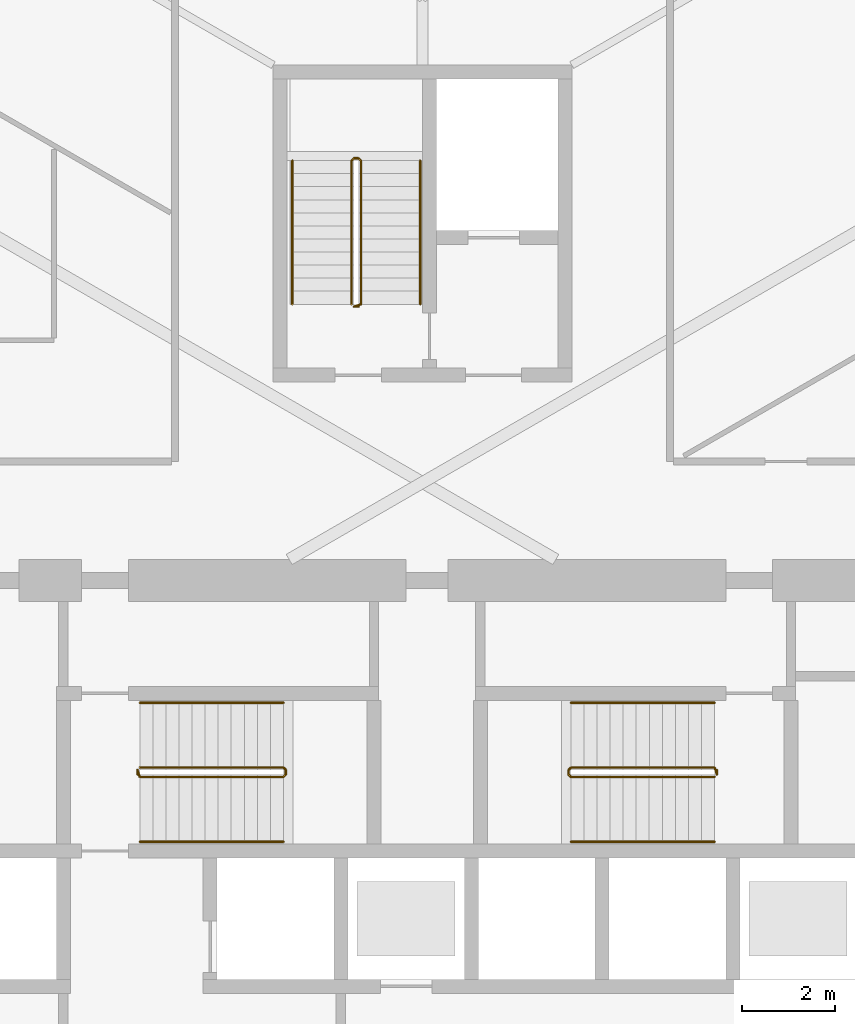
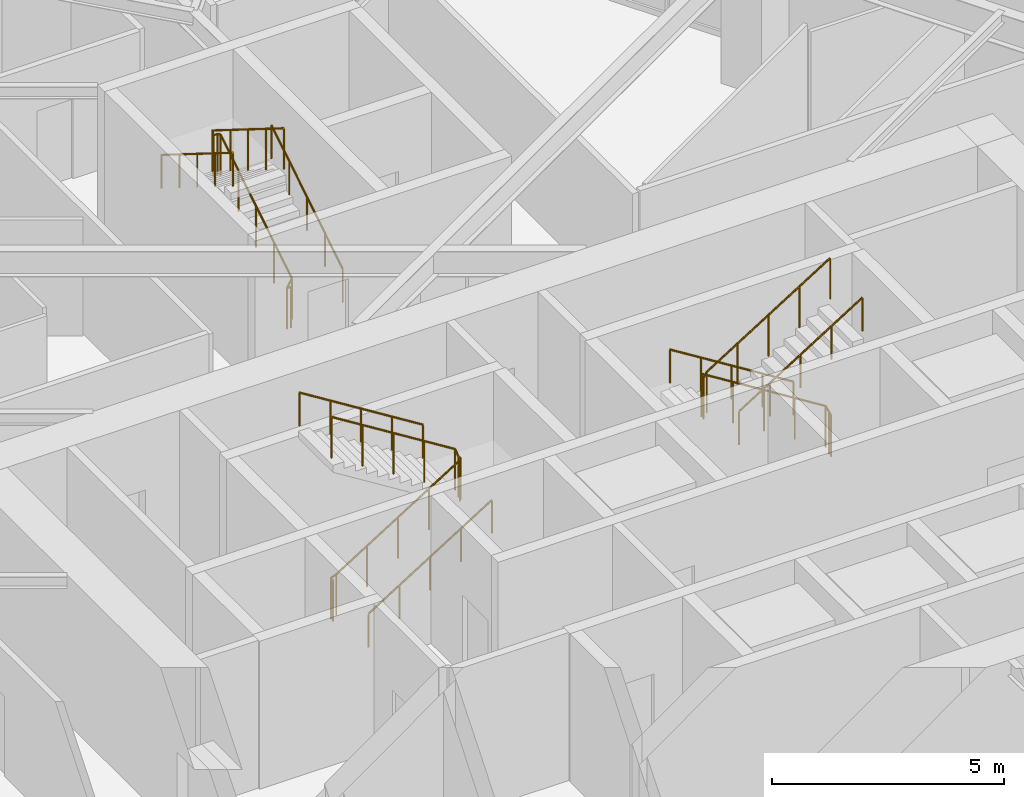
# One storey, part 18 of 19: 9 railings.
"""IFC4 building model written with IfcOpenShell, lengths in metres."""

from ifc_helpers import new_model, si_unit, direction, frame, origin, origin_2d, place, context, subcontext, project, spatial, circle, extrude, material, type_object, element, save


model = new_model("IFC4")

# Units and contexts
model_context = context("Model", 3, precision=1e-05, world=origin(), true_north=direction((0.0, 1.0)))
body_context = subcontext(model_context, "Body", "Model", "MODEL_VIEW")
ifc_project = project(units=[si_unit("LENGTHUNIT", "METRE"), si_unit("AREAUNIT", "SQUARE_METRE"), si_unit("VOLUMEUNIT", "CUBIC_METRE"), si_unit("PLANEANGLEUNIT", "RADIAN"), si_unit("MASSUNIT", "GRAM", prefix="KILO")], contexts=[model_context])

# Site, building, storey
site_placement = place(None, origin())
site = spatial("IfcSite", under=ifc_project, at=site_placement, CompositionType="ELEMENT")
building_placement = place(site_placement, origin())
building = spatial("IfcBuilding", under=site, at=building_placement, Name="Firuza Gate Tower and Library", CompositionType="ELEMENT")
storey_placement = place(building_placement, frame((0.0, 0.0, 136.60009765625)))
storey = spatial("IfcBuildingStorey", under=building, at=storey_placement, Name="L31", CompositionType="ELEMENT", Elevation=136.60009765625)

# Railings
ifc_material_1 = material(Name="Steel S355", Category="steel")
railing_type_1 = type_object("IfcRailingType", Name="Stair guard 1100", PredefinedType="GUARDRAIL", material=ifc_material_1)
railing_1_placement = place(storey_placement, frame((68.889892578125, 79.389892578125, 0.0)))
element("IfcRailing", 1, at=railing_1_placement, inside=storey, type_object=railing_type_1, Name="L31 ST1 stair guard 1", PredefinedType="GUARDRAIL", context=body_context, shape_type="SweptSolid", body=[
    extrude(circle(Radius=0.02392578125, at=origin_2d()), frame((0.0, 0.0, 1.076171875), z_axis=(0.0, 1.0, 0.0), x_axis=(-1.0, 0.0, 0.0)), (0.0, 0.0, 1.0), 0.10009765625),
    extrude(circle(Radius=0.02392578125, at=origin_2d()), frame((0.0, 0.10009765625, 1.076171875), z_axis=(0.212383695785, -0.636115069328, 0.741788908207), x_axis=(0.948528701346, 0.316691178788, 0.0)), (0.0, 0.0, 1.0), 0.235595703125),
    extrude(circle(Radius=0.02392578125, at=origin_2d()), frame((0.050048828125, -0.0498046875, 1.2509765625), z_axis=(0.847998304005, 0.0, 0.529998940003), x_axis=(0.0, 1.0, 0.0)), (0.0, 0.0, 1.0), 3.632080078125),
    extrude(circle(Radius=0.02392578125, at=origin_2d()), frame((3.130126953125, -0.0498046875, 3.17578125), z_axis=(0.708833529934, 0.705375805398, 0.0), x_axis=(-0.705375805398, 0.708833529934, 0.0)), (0.0, 0.0, 1.0), 0.070556640625),
    extrude(circle(Radius=0.02392578125, at=origin_2d()), frame((3.18017578125, 0.0, 3.17578125), z_axis=(0.0, 1.0, 0.0), x_axis=(-1.0, 0.0, 0.0)), (0.0, 0.0, 1.0), 0.10009765625),
    extrude(circle(Radius=0.02392578125, at=origin_2d()), frame((3.18017578125, 0.10009765625, 3.17578125), z_axis=(-0.265065253269, 0.265065253269, 0.927081885822), x_axis=(-0.707106781187, -0.707106781187, 0.0)), (0.0, 0.0, 1.0), 0.188720703125),
    extrude(circle(Radius=0.02392578125, at=origin_2d()), frame((3.130126953125, 0.150146484375, 3.35107421875), z_axis=(-0.847998304005, 0.0, 0.529998940003), x_axis=(0.0, -1.0, 0.0)), (0.0, 0.0, 1.0), 3.632080078125),
    extrude(circle(Radius=0.02099609375, at=origin_2d()), origin(), (0.0, 0.0, 1.0), 1.052001953125),
    extrude(circle(Radius=0.02099609375, at=origin_2d()), frame((0.0, 0.10009765625, 0.0)), (0.0, 0.0, 1.0), 1.052001953125),
    extrude(circle(Radius=0.02099609375, at=origin_2d()), frame((0.050048828125, -0.0498046875, 0.1748046875)), (0.0, 0.0, 1.0), 1.052001953125),
    extrude(circle(Radius=0.02099609375, at=origin_2d()), frame((0.820068359375, -0.0498046875, 0.656005859375)), (0.0, 0.0, 1.0), 1.052001953125),
    extrude(circle(Radius=0.02099609375, at=origin_2d()), frame((1.590087890625, -0.0498046875, 1.13720703125)), (0.0, 0.0, 1.0), 1.052001953125),
    extrude(circle(Radius=0.02099609375, at=origin_2d()), frame((2.360107421875, -0.0498046875, 1.61865234375)), (0.0, 0.0, 1.0), 1.052001953125),
    extrude(circle(Radius=0.02099609375, at=origin_2d()), frame((3.130126953125, -0.0498046875, 2.099853515625)), (0.0, 0.0, 1.0), 1.052001953125),
    extrude(circle(Radius=0.02099609375, at=origin_2d()), frame((3.18017578125, 0.0, 2.099853515625)), (0.0, 0.0, 1.0), 1.052001953125),
    extrude(circle(Radius=0.02099609375, at=origin_2d()), frame((3.18017578125, 0.10009765625, 2.099853515625)), (0.0, 0.0, 1.0), 1.052001953125),
    extrude(circle(Radius=0.02099609375, at=origin_2d()), frame((3.130126953125, 0.150146484375, 2.27490234375)), (0.0, 0.0, 1.0), 1.052001953125),
    extrude(circle(Radius=0.02099609375, at=origin_2d()), frame((2.360107421875, 0.150146484375, 2.756103515625)), (0.0, 0.0, 1.0), 1.052001953125),
    extrude(circle(Radius=0.02099609375, at=origin_2d()), frame((1.590087890625, 0.150146484375, 3.2373046875)), (0.0, 0.0, 1.0), 1.052001953125),
    extrude(circle(Radius=0.02099609375, at=origin_2d()), frame((0.820068359375, 0.150146484375, 3.71875)), (0.0, 0.0, 1.0), 1.052001953125),
    extrude(circle(Radius=0.02099609375, at=origin_2d()), frame((0.050048828125, 0.150146484375, 4.199951171875)), (0.0, 0.0, 1.0), 1.052001953125),
])
railing_2_placement = place(storey_placement, frame((81.31005859375, 79.489990234375, 0.0)))
element("IfcRailing", 2, at=railing_2_placement, inside=storey, type_object=railing_type_1, Name="L31 ST2 stair guard 1", PredefinedType="GUARDRAIL", context=body_context, shape_type="SweptSolid", body=[
    extrude(circle(Radius=0.02392578125, at=origin_2d()), frame((0.0, 0.0, 1.076171875), z_axis=(0.0, -1.0, 0.0), x_axis=(1.0, 0.0, 0.0)), (0.0, 0.0, 1.0), 0.10009765625),
    extrude(circle(Radius=0.02392578125, at=origin_2d()), frame((0.0, -0.10009765625, 1.076171875), z_axis=(-0.21224375372, 0.63673126116, 0.741300134944), x_axis=(-0.948683298051, -0.316227766017, 0.0)), (0.0, 0.0, 1.0), 0.23583984375),
    extrude(circle(Radius=0.02392578125, at=origin_2d()), frame((-0.050048828125, 0.050048828125, 1.2509765625), z_axis=(-0.847998304005, 0.0, 0.529998940003), x_axis=(0.0, -1.0, 0.0)), (0.0, 0.0, 1.0), 3.632080078125),
    extrude(circle(Radius=0.02392578125, at=origin_2d()), frame((-3.130126953125, 0.050048828125, 3.17578125), z_axis=(-0.707106781187, -0.707106781187, 0.0), x_axis=(0.707106781187, -0.707106781187, 0.0)), (0.0, 0.0, 1.0), 0.07080078125),
    extrude(circle(Radius=0.02392578125, at=origin_2d()), frame((-3.18017578125, 0.0, 3.17578125), z_axis=(0.0, -1.0, 0.0), x_axis=(1.0, 0.0, 0.0)), (0.0, 0.0, 1.0), 0.10009765625),
    extrude(circle(Radius=0.02392578125, at=origin_2d()), frame((-3.18017578125, -0.10009765625, 3.17578125), z_axis=(0.265155923931, -0.263862480399, 0.927399011991), x_axis=(0.705375805398, 0.708833529934, 0.0)), (0.0, 0.0, 1.0), 0.188720703125),
    extrude(circle(Radius=0.02392578125, at=origin_2d()), frame((-3.130126953125, -0.14990234375, 3.35107421875), z_axis=(0.847998304005, 0.0, 0.529998940003), x_axis=(0.0, 1.0, 0.0)), (0.0, 0.0, 1.0), 3.632080078125),
    extrude(circle(Radius=0.02099609375, at=origin_2d()), origin(), (0.0, 0.0, 1.0), 1.052001953125),
    extrude(circle(Radius=0.02099609375, at=origin_2d()), frame((0.0, -0.10009765625, 0.0)), (0.0, 0.0, 1.0), 1.052001953125),
    extrude(circle(Radius=0.02099609375, at=origin_2d()), frame((-0.050048828125, 0.050048828125, 0.1748046875)), (0.0, 0.0, 1.0), 1.052001953125),
    extrude(circle(Radius=0.02099609375, at=origin_2d()), frame((-0.820068359375, 0.050048828125, 0.656005859375)), (0.0, 0.0, 1.0), 1.052001953125),
    extrude(circle(Radius=0.02099609375, at=origin_2d()), frame((-1.590087890625, 0.050048828125, 1.13720703125)), (0.0, 0.0, 1.0), 1.052001953125),
    extrude(circle(Radius=0.02099609375, at=origin_2d()), frame((-2.360107421875, 0.050048828125, 1.61865234375)), (0.0, 0.0, 1.0), 1.052001953125),
    extrude(circle(Radius=0.02099609375, at=origin_2d()), frame((-3.130126953125, 0.050048828125, 2.099853515625)), (0.0, 0.0, 1.0), 1.052001953125),
    extrude(circle(Radius=0.02099609375, at=origin_2d()), frame((-3.18017578125, 0.0, 2.099853515625)), (0.0, 0.0, 1.0), 1.052001953125),
    extrude(circle(Radius=0.02099609375, at=origin_2d()), frame((-3.18017578125, -0.10009765625, 2.099853515625)), (0.0, 0.0, 1.0), 1.052001953125),
    extrude(circle(Radius=0.02099609375, at=origin_2d()), frame((-3.130126953125, -0.14990234375, 2.27490234375)), (0.0, 0.0, 1.0), 1.052001953125),
    extrude(circle(Radius=0.02099609375, at=origin_2d()), frame((-2.360107421875, -0.14990234375, 2.756103515625)), (0.0, 0.0, 1.0), 1.052001953125),
    extrude(circle(Radius=0.02099609375, at=origin_2d()), frame((-1.590087890625, -0.14990234375, 3.2373046875)), (0.0, 0.0, 1.0), 1.052001953125),
    extrude(circle(Radius=0.02099609375, at=origin_2d()), frame((-0.820068359375, -0.14990234375, 3.71875)), (0.0, 0.0, 1.0), 1.052001953125),
    extrude(circle(Radius=0.02099609375, at=origin_2d()), frame((-0.050048828125, -0.14990234375, 4.199951171875)), (0.0, 0.0, 1.0), 1.052001953125),
])
railing_3_placement = place(storey_placement, frame((73.6298828125, 89.419921875, 0.0)))
element("IfcRailing", 3, at=railing_3_placement, inside=storey, type_object=railing_type_1, Name="L31 ST3 stair guard 1", PredefinedType="GUARDRAIL", context=body_context, shape_type="SweptSolid", body=[
    extrude(circle(Radius=0.02392578125, at=origin_2d()), frame((0.0, 0.0, 1.076171875), z_axis=(-1.0, 0.0, 0.0), x_axis=(0.0, -1.0, 0.0)), (0.0, 0.0, 1.0), 0.099853515625),
    extrude(circle(Radius=0.02392578125, at=origin_2d()), frame((-0.099853515625, 0.0, 1.076171875), z_axis=(0.636115069328, 0.212383695785, 0.741788908207), x_axis=(-0.316691178788, 0.948528701346, 0.0)), (0.0, 0.0, 1.0), 0.235595703125),
    extrude(circle(Radius=0.02392578125, at=origin_2d()), frame((0.050048828125, 0.050048828125, 1.2509765625), z_axis=(0.0, 0.847998304005, 0.529998940003), x_axis=(-1.0, 0.0, 0.0)), (0.0, 0.0, 1.0), 3.632080078125),
    extrude(circle(Radius=0.02392578125, at=origin_2d()), frame((0.050048828125, 3.130126953125, 3.17578125), z_axis=(-0.707106781187, 0.707106781187, 0.0), x_axis=(-0.707106781187, -0.707106781187, 0.0)), (0.0, 0.0, 1.0), 0.07080078125),
    extrude(circle(Radius=0.02392578125, at=origin_2d()), frame((0.0, 3.18017578125, 3.17578125), z_axis=(-1.0, 0.0, 0.0), x_axis=(0.0, -1.0, 0.0)), (0.0, 0.0, 1.0), 0.099853515625),
    extrude(circle(Radius=0.02392578125, at=origin_2d()), frame((-0.099853515625, 3.18017578125, 3.17578125), z_axis=(-0.265065253269, -0.265065253269, 0.927081885822), x_axis=(0.707106781187, -0.707106781187, 0.0)), (0.0, 0.0, 1.0), 0.188720703125),
    extrude(circle(Radius=0.02392578125, at=origin_2d()), frame((-0.14990234375, 3.130126953125, 3.35107421875), z_axis=(0.0, -0.847998304005, 0.529998940003), x_axis=(1.0, 0.0, 0.0)), (0.0, 0.0, 1.0), 3.632080078125),
    extrude(circle(Radius=0.02099609375, at=origin_2d()), origin(), (0.0, 0.0, 1.0), 1.052001953125),
    extrude(circle(Radius=0.02099609375, at=origin_2d()), frame((-0.099853515625, 0.0, 0.0)), (0.0, 0.0, 1.0), 1.052001953125),
    extrude(circle(Radius=0.02099609375, at=origin_2d()), frame((0.050048828125, 0.050048828125, 0.1748046875)), (0.0, 0.0, 1.0), 1.052001953125),
    extrude(circle(Radius=0.02099609375, at=origin_2d()), frame((0.050048828125, 0.820068359375, 0.656005859375)), (0.0, 0.0, 1.0), 1.052001953125),
    extrude(circle(Radius=0.02099609375, at=origin_2d()), frame((0.050048828125, 1.590087890625, 1.13720703125)), (0.0, 0.0, 1.0), 1.052001953125),
    extrude(circle(Radius=0.02099609375, at=origin_2d()), frame((0.050048828125, 2.360107421875, 1.61865234375)), (0.0, 0.0, 1.0), 1.052001953125),
    extrude(circle(Radius=0.02099609375, at=origin_2d()), frame((0.050048828125, 3.130126953125, 2.099853515625)), (0.0, 0.0, 1.0), 1.052001953125),
    extrude(circle(Radius=0.02099609375, at=origin_2d()), frame((0.0, 3.18017578125, 2.099853515625)), (0.0, 0.0, 1.0), 1.052001953125),
    extrude(circle(Radius=0.02099609375, at=origin_2d()), frame((-0.099853515625, 3.18017578125, 2.099853515625)), (0.0, 0.0, 1.0), 1.052001953125),
    extrude(circle(Radius=0.02099609375, at=origin_2d()), frame((-0.14990234375, 3.130126953125, 2.27490234375)), (0.0, 0.0, 1.0), 1.052001953125),
    extrude(circle(Radius=0.02099609375, at=origin_2d()), frame((-0.14990234375, 2.360107421875, 2.756103515625)), (0.0, 0.0, 1.0), 1.052001953125),
    extrude(circle(Radius=0.02099609375, at=origin_2d()), frame((-0.14990234375, 1.590087890625, 3.2373046875)), (0.0, 0.0, 1.0), 1.052001953125),
    extrude(circle(Radius=0.02099609375, at=origin_2d()), frame((-0.14990234375, 0.820068359375, 3.71875)), (0.0, 0.0, 1.0), 1.052001953125),
    extrude(circle(Radius=0.02099609375, at=origin_2d()), frame((-0.14990234375, 0.050048828125, 4.199951171875)), (0.0, 0.0, 1.0), 1.052001953125),
])
ifc_material_2 = material(Name="Steel S355", Category="steel")
railing_type_2 = type_object("IfcRailingType", Name="Stair handrail 900", PredefinedType="HANDRAIL", material=ifc_material_2)
railing_4_placement = place(storey_placement, frame((68.93994140625, 77.949951171875, 0.1748046875)))
element("IfcRailing", 4, at=railing_4_placement, inside=storey, type_object=railing_type_2, Name="L31 ST1 stair handrail 1", PredefinedType="HANDRAIL", context=body_context, shape_type="SweptSolid", body=[
    extrude(circle(Radius=0.02392578125, at=origin_2d()), frame((0.0, 0.0, 0.8759765625), z_axis=(0.847998304005, 0.0, 0.529998940003), x_axis=(0.0, 1.0, 0.0)), (0.0, 0.0, 1.0), 3.632080078125),
    extrude(circle(Radius=0.02099609375, at=origin_2d()), origin(), (0.0, 0.0, 1.0), 0.851806640625),
    extrude(circle(Radius=0.02099609375, at=origin_2d()), frame((0.77001953125, 0.0, 0.481201171875)), (0.0, 0.0, 1.0), 0.851806640625),
    extrude(circle(Radius=0.02099609375, at=origin_2d()), frame((1.5400390625, 0.0, 0.96240234375)), (0.0, 0.0, 1.0), 0.851806640625),
    extrude(circle(Radius=0.02099609375, at=origin_2d()), frame((2.31005859375, 0.0, 1.44384765625)), (0.0, 0.0, 1.0), 0.851806640625),
    extrude(circle(Radius=0.02099609375, at=origin_2d()), frame((3.080078125, 0.0, 1.925048828125)), (0.0, 0.0, 1.0), 0.851806640625),
])
for number, where, name in (
    (5, (72.02001953125, 80.929931640625, 2.27490234375), "L31 ST1 stair handrail 2"),
    (6, (81.260009765625, 80.929931640625, 0.1748046875), "L31 ST2 stair handrail 1"),
):
    element("IfcRailing", number, at=place(storey_placement, frame(where)), inside=storey, type_object=railing_type_2, Name=name, PredefinedType="HANDRAIL", context=body_context, shape_type="SweptSolid", body=[
        extrude(circle(Radius=0.02392578125, at=origin_2d()), frame((0.0, 0.0, 0.8759765625), z_axis=(-0.847998304005, 0.0, 0.529998940003), x_axis=(0.0, -1.0, 0.0)), (0.0, 0.0, 1.0), 3.632080078125),
        extrude(circle(Radius=0.02099609375, at=origin_2d()), origin(), (0.0, 0.0, 1.0), 0.851806640625),
        extrude(circle(Radius=0.02099609375, at=origin_2d()), frame((-0.77001953125, 0.0, 0.481201171875)), (0.0, 0.0, 1.0), 0.851806640625),
        extrude(circle(Radius=0.02099609375, at=origin_2d()), frame((-1.5400390625, 0.0, 0.96240234375)), (0.0, 0.0, 1.0), 0.851806640625),
        extrude(circle(Radius=0.02099609375, at=origin_2d()), frame((-2.31005859375, 0.0, 1.44384765625)), (0.0, 0.0, 1.0), 0.851806640625),
        extrude(circle(Radius=0.02099609375, at=origin_2d()), frame((-3.080078125, 0.0, 1.925048828125)), (0.0, 0.0, 1.0), 0.851806640625),
    ])
railing_5_placement = place(storey_placement, frame((78.179931640625, 77.949951171875, 2.27490234375)))
element("IfcRailing", 7, at=railing_5_placement, inside=storey, type_object=railing_type_2, Name="L31 ST2 stair handrail 2", PredefinedType="HANDRAIL", context=body_context, shape_type="SweptSolid", body=[
    extrude(circle(Radius=0.02392578125, at=origin_2d()), frame((0.0, 0.0, 0.8759765625), z_axis=(0.847998304005, 0.0, 0.529998940003), x_axis=(0.0, 1.0, 0.0)), (0.0, 0.0, 1.0), 3.632080078125),
    extrude(circle(Radius=0.02099609375, at=origin_2d()), origin(), (0.0, 0.0, 1.0), 0.851806640625),
    extrude(circle(Radius=0.02099609375, at=origin_2d()), frame((0.77001953125, 0.0, 0.481201171875)), (0.0, 0.0, 1.0), 0.851806640625),
    extrude(circle(Radius=0.02099609375, at=origin_2d()), frame((1.5400390625, 0.0, 0.96240234375)), (0.0, 0.0, 1.0), 0.851806640625),
    extrude(circle(Radius=0.02099609375, at=origin_2d()), frame((2.31005859375, 0.0, 1.44384765625)), (0.0, 0.0, 1.0), 0.851806640625),
    extrude(circle(Radius=0.02099609375, at=origin_2d()), frame((3.080078125, 0.0, 1.925048828125)), (0.0, 0.0, 1.0), 0.851806640625),
])
railing_6_placement = place(storey_placement, frame((74.949951171875, 89.469970703125, 0.1748046875)))
element("IfcRailing", 8, at=railing_6_placement, inside=storey, type_object=railing_type_2, Name="L31 ST3 stair handrail 1", PredefinedType="HANDRAIL", context=body_context, shape_type="SweptSolid", body=[
    extrude(circle(Radius=0.02392578125, at=origin_2d()), frame((0.0, 0.0, 0.8759765625), z_axis=(0.0, 0.847998304005, 0.529998940003), x_axis=(-1.0, 0.0, 0.0)), (0.0, 0.0, 1.0), 3.632080078125),
    extrude(circle(Radius=0.02099609375, at=origin_2d()), origin(), (0.0, 0.0, 1.0), 0.851806640625),
    extrude(circle(Radius=0.02099609375, at=origin_2d()), frame((0.0, 0.77001953125, 0.481201171875)), (0.0, 0.0, 1.0), 0.851806640625),
    extrude(circle(Radius=0.02099609375, at=origin_2d()), frame((0.0, 1.5400390625, 0.96240234375)), (0.0, 0.0, 1.0), 0.851806640625),
    extrude(circle(Radius=0.02099609375, at=origin_2d()), frame((0.0, 2.31005859375, 1.44384765625)), (0.0, 0.0, 1.0), 0.851806640625),
    extrude(circle(Radius=0.02099609375, at=origin_2d()), frame((0.0, 3.080078125, 1.925048828125)), (0.0, 0.0, 1.0), 0.851806640625),
])
railing_7_placement = place(storey_placement, frame((72.2099609375, 92.550048828125, 2.27490234375)))
element("IfcRailing", 9, at=railing_7_placement, inside=storey, type_object=railing_type_2, Name="L31 ST3 stair handrail 2", PredefinedType="HANDRAIL", context=body_context, shape_type="SweptSolid", body=[
    extrude(circle(Radius=0.02392578125, at=origin_2d()), frame((0.0, 0.0, 0.8759765625), z_axis=(0.0, -0.847998304005, 0.529998940003), x_axis=(1.0, 0.0, 0.0)), (0.0, 0.0, 1.0), 3.632080078125),
    extrude(circle(Radius=0.02099609375, at=origin_2d()), origin(), (0.0, 0.0, 1.0), 0.851806640625),
    extrude(circle(Radius=0.02099609375, at=origin_2d()), frame((0.0, -0.77001953125, 0.481201171875)), (0.0, 0.0, 1.0), 0.851806640625),
    extrude(circle(Radius=0.02099609375, at=origin_2d()), frame((0.0, -1.5400390625, 0.96240234375)), (0.0, 0.0, 1.0), 0.851806640625),
    extrude(circle(Radius=0.02099609375, at=origin_2d()), frame((0.0, -2.31005859375, 1.44384765625)), (0.0, 0.0, 1.0), 0.851806640625),
    extrude(circle(Radius=0.02099609375, at=origin_2d()), frame((0.0, -3.080078125, 1.925048828125)), (0.0, 0.0, 1.0), 0.851806640625),
])

save(model, "model.ifc")
